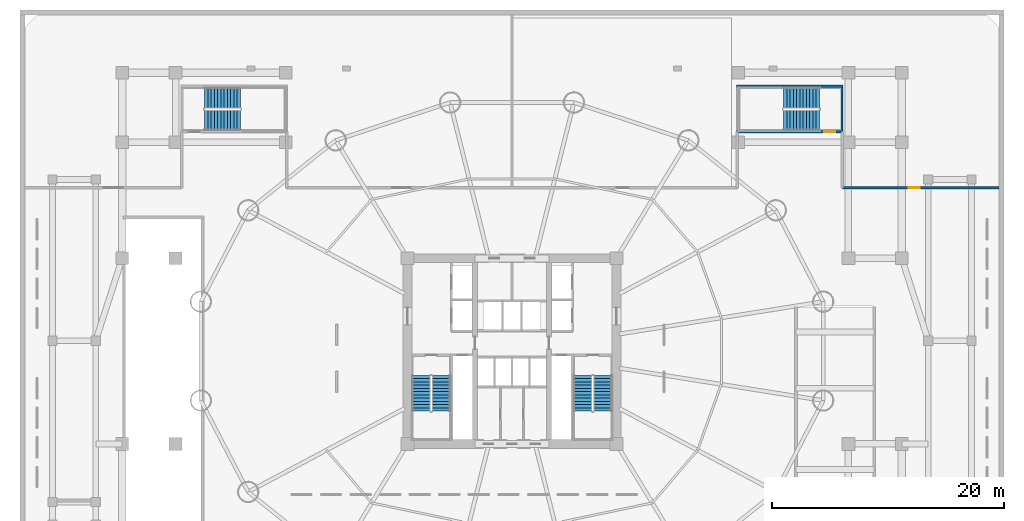
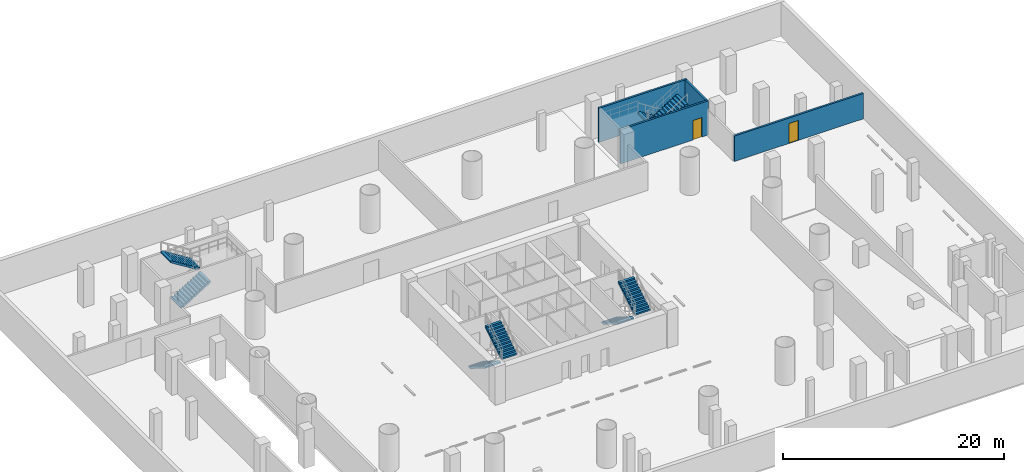
# One storey, part 7 of 11: 8 stair flights, 4 walls, 2 doors, 2 openings, 4 elements without a shape of their own.
"""IFC4 building model written with IfcOpenShell, lengths in metres."""

from ifc_helpers import new_model, si_unit, direction, frame, frame_2d, origin, place, context, subcontext, project, spatial, polyline, rectangle, outline, extrude, source, transform, mapped, material, layer, layer_set, type_object, element, fill, aggregate, save


model = new_model("IFC4")

# Units and contexts
model_context = context("Model", 3, precision=1e-05, world=origin(), true_north=direction((-0.2419218956, 0.970295726276)))
body_context = subcontext(model_context, "Body", "Model", "MODEL_VIEW")
ifc_project = project(units=[si_unit("LENGTHUNIT", "METRE"), si_unit("AREAUNIT", "SQUARE_METRE"), si_unit("VOLUMEUNIT", "CUBIC_METRE"), si_unit("PLANEANGLEUNIT", "RADIAN"), si_unit("MASSUNIT", "GRAM", prefix="KILO")], contexts=[model_context])

# Site, building, storey
site_placement = place(None, origin())
site = spatial("IfcSite", under=ifc_project, at=site_placement, CompositionType="ELEMENT")
building_placement = place(site_placement, origin())
building = spatial("IfcBuilding", under=site, at=building_placement, Name="Cobrevalo Terracotta Tower", CompositionType="ELEMENT")
storey_placement = place(building_placement, frame((0.0, 0.0, -4.199951171875)))
storey = spatial("IfcBuildingStorey", under=building, at=storey_placement, Name="B01", CompositionType="ELEMENT", Elevation=-4.199951171875)

# Wall, opening, door
ifc_material_1 = material(Name="Autoclaved aerated concrete block", Category="concrete")
ifc_layer_1 = layer(ifc_material_1, 0.199951171875)
ifc_layer_set_1 = layer_set([ifc_layer_1], Name="Autoclaved aerated concrete block")
wall_type_1 = type_object("IfcWallType", Name="Fire-rated stair, shaft & demising masonry wall 200 mm", PredefinedType="PARTITIONING", material=ifc_layer_set_1)
wall_1_placement = place(storey_placement, frame((66.47998046875, 40.8798828125, 0.0), z_axis=(0.0, 0.0, 1.0), x_axis=(1.0, 0.0, 0.0)))
wall_1 = element("IfcWall", 1, at=wall_1_placement, inside=storey, type_object=wall_type_1, Name="B01 interior partition IW-B01-BN-3", PredefinedType="PARTITIONING", context=body_context, shape_type="SweptSolid", body=[
    extrude(rectangle(XDim=13.489990234375, YDim=0.199951171875, at=frame_2d((6.7451171875, 0.0))), origin(), (0.0, 0.0, 1.0), 2.81494140625),
])
opening_1_placement = place(wall_1_placement, frame((5.700927734375, 0.0, 0.0)))
opening_1 = element("IfcOpeningElement", 2, at=opening_1_placement, cuts=wall_1, Name="Opening ID-05", PredefinedType="OPENING", context=body_context, shape_type="SweptSolid", body=[
    extrude(rectangle(XDim=0.97998046875, YDim=2.199951171875, at=frame_2d((0.489990234375, 1.10009765625))), frame((0.0, 0.10986328125, 0.0), z_axis=(0.0, -1.0, 0.0), x_axis=(1.0, 0.0, 0.0)), (0.0, 0.0, 1.0), 0.219970703125),
])
ifc_material_2 = material(Name="Solid hardwood timber", Category="wood")
door_type_1 = type_object("IfcDoorType", Name="Residence entrance fire-rated acoustic timber door 980x2200 EI 60", OperationType="NOTDEFINED", PredefinedType="DOOR", material=ifc_material_2)
shared_shape_1 = source(origin(), body_context, "Body", "SweptSolid", [
    extrude(rectangle(XDim=0.97998046875, YDim=2.199951171875, at=frame_2d((0.489990234375, 1.10009765625))), frame((0.0, 0.02490234375, 0.0), z_axis=(0.0, -1.0, 0.0), x_axis=(1.0, 0.0, 0.0)), (0.0, 0.0, 1.0), 0.050048828125),
])
door_1_placement = place(opening_1_placement, frame((0.97998046875, 0.0, 0.0), z_axis=(0.0, 0.0, 1.0), x_axis=(-1.0, 0.0, 0.0)))
door_1 = element("IfcDoor", 3, at=door_1_placement, inside=storey, type_object=door_type_1, Name="Refuse Compactor and Recycling Room door", OperationType="SINGLE_SWING_RIGHT", OverallHeight=2.199951171875, OverallWidth=0.97998046875, PredefinedType="DOOR", context=body_context, shape_type="MappedRepresentation", body=[
    mapped(shared_shape_1, transform((0.0, 0.0, 0.0), scale=1.0)),
])
fill(opening_1, door_1)

ifc_material_3 = material(Name="Concrete C50", Category="concrete")
ifc_layer_2 = layer(ifc_material_3, 0.199951171875)
ifc_layer_set_2 = layer_set([ifc_layer_2], Name="Concrete C50")
wall_type_2 = type_object("IfcWallType", Name="Structural core & podium stair-shaft RC wall 200 mm Concrete C50", PredefinedType="SOLIDWALL", material=ifc_layer_set_2)
wall_2_placement = place(storey_placement, frame((57.35009765625, 45.699951171875, 0.0), z_axis=(0.0, 0.0, 1.0), x_axis=(1.0, 0.0, 0.0)))
wall_2 = element("IfcWall", 4, at=wall_2_placement, inside=storey, type_object=wall_type_2, Name="B01 STP2 south structural shaft wall", PredefinedType="SOLIDWALL", context=body_context, shape_type="SweptSolid", body=[
    extrude(rectangle(XDim=9.199951171875, YDim=0.199951171875, at=frame_2d((4.60009765625, 0.0))), origin(), (0.0, 0.0, 1.0), 3.780029296875),
])
opening_2_placement = place(wall_2_placement, frame((7.574951171875, 0.0, 0.0)))
opening_2 = element("IfcOpeningElement", 5, at=opening_2_placement, cuts=wall_2, Name="Opening ID-04", PredefinedType="OPENING", context=body_context, shape_type="SweptSolid", body=[
    extrude(rectangle(XDim=0.949951171875, YDim=2.14990234375, at=frame_2d((0.47509765625, 1.074951171875))), frame((0.0, 0.10986328125, 0.0), z_axis=(0.0, -1.0, 0.0), x_axis=(1.0, 0.0, 0.0)), (0.0, 0.0, 1.0), 0.219970703125),
])
ifc_material_4 = material(Name="Galvanized fire-rated steel", Category="steel")
door_type_2 = type_object("IfcDoorType", Name="Stair & firefighting lobby fire door 950x2150 EI 90", OperationType="NOTDEFINED", PredefinedType="DOOR", material=ifc_material_4)
shared_shape_2 = source(origin(), body_context, "Body", "SweptSolid", [
    extrude(rectangle(XDim=0.949951171875, YDim=2.14990234375, at=frame_2d((0.47509765625, 1.074951171875))), frame((0.0, 0.02490234375, 0.0), z_axis=(0.0, -1.0, 0.0), x_axis=(1.0, 0.0, 0.0)), (0.0, 0.0, 1.0), 0.050048828125),
])
door_2_placement = place(opening_2_placement, frame((0.949951171875, 0.0, 0.0), z_axis=(0.0, 0.0, 1.0), x_axis=(-1.0, 0.0, 0.0)))
door_2 = element("IfcDoor", 6, at=door_2_placement, inside=storey, type_object=door_type_2, Name="B01 podium exit stair STP2 fire door", OperationType="SINGLE_SWING_RIGHT", OverallHeight=2.14990234375, OverallWidth=0.949951171875, PredefinedType="DOOR", context=body_context, shape_type="MappedRepresentation", body=[
    mapped(shared_shape_2, transform((0.0, 0.0, 0.0), scale=1.0)),
])
fill(opening_2, door_2)

# Walls
wall_3_placement = place(storey_placement, frame((57.35009765625, 49.6201171875, 0.0), z_axis=(0.0, 0.0, 1.0), x_axis=(1.0, 0.0, 0.0)))
element("IfcWall", 7, at=wall_3_placement, inside=storey, type_object=wall_type_2, Name="B01 STP2 north structural shaft wall", PredefinedType="SOLIDWALL", context=body_context, shape_type="SweptSolid", body=[
    extrude(rectangle(XDim=9.199951171875, YDim=0.199951171875, at=frame_2d((4.60009765625, 0.0))), origin(), (0.0, 0.0, 1.0), 3.780029296875),
])
wall_4_placement = place(storey_placement, frame((66.449951171875, 45.800048828125, 0.0), z_axis=(0.0, 0.0, 1.0), x_axis=(0.0, 1.0, 0.0)))
element("IfcWall", 8, at=wall_4_placement, inside=storey, type_object=wall_type_2, Name="B01 STP2 east structural shaft wall", PredefinedType="SOLIDWALL", context=body_context, shape_type="SweptSolid", body=[
    extrude(rectangle(XDim=3.719970703125, YDim=0.199951171875, at=frame_2d((1.85986328125, 0.0))), origin(), (0.0, 0.0, 1.0), 3.780029296875),
])

# Stair, stair flights
stair_type_1 = type_object("IfcStairType", Name="Core protected escape dogleg stair 1600", PredefinedType="HALF_TURN_STAIR", material=ifc_material_3)
stair_1_placement = place(storey_placement, origin())
stair_1 = element("IfcStair", 9, at=stair_1_placement, inside=storey, type_object=stair_type_1, Name="B01 Protected exit stair ST-1", PredefinedType="HALF_TURN_STAIR")
stair_flight_type_1 = type_object("IfcStairFlightType", Name="Core protected escape dogleg stair 1600 flight", PredefinedType="STRAIGHT", material=ifc_material_3)
stair_flight_1_placement = place(storey_placement, frame((30.175048828125, 24.699951171875, 0.0), z_axis=(0.0, 0.0, 1.0), x_axis=(0.0, -1.0, 0.0)))
stair_flight_1 = element("IfcStairFlight", 10, at=stair_flight_1_placement, type_object=stair_flight_type_1, Name="ST-1 flight 1", NumberOfRisers=12, NumberOfTreads=11, PredefinedType="STRAIGHT", RiserHeight=0.175, TreadLength=0.28, context=body_context, shape_type="SweptSolid", body=[
    extrude(outline(polyline([(0.0, 0.0), (0.0, 0.175048828125), (0.280029296875, 0.175048828125), (0.280029296875, 0.35009765625), (0.56005859375, 0.35009765625), (0.56005859375, 0.52490234375), (0.840087890625, 0.52490234375), (0.840087890625, 0.699951171875), (1.1201171875, 0.699951171875), (1.1201171875, 0.875), (1.39990234375, 0.875), (1.39990234375, 1.050048828125), (1.679931640625, 1.050048828125), (1.679931640625, 1.22509765625), (1.9599609375, 1.22509765625), (1.9599609375, 1.39990234375), (2.239990234375, 1.39990234375), (2.239990234375, 1.574951171875), (2.52001953125, 1.574951171875), (2.52001953125, 1.75), (2.800048828125, 1.75), (2.800048828125, 1.925048828125), (3.080078125, 1.925048828125), (3.080078125, 2.10009765625), (3.080078125, 1.736328125), (0.3017578125, 0.0), (0.0, 0.0)])), frame((0.0, 0.800048828125, 0.0), z_axis=(0.0, -1.0, 0.0), x_axis=(1.0, 0.0, 0.0)), (0.0, 0.0, 1.0), 1.60009765625),
])
stair_flight_2_placement = place(storey_placement, frame((31.89501953125, 21.6201171875, 2.099853515625), z_axis=(0.0, 0.0, 1.0), x_axis=(0.0, 1.0, 0.0)))
stair_flight_2 = element("IfcStairFlight", 11, at=stair_flight_2_placement, type_object=stair_flight_type_1, Name="ST-1 flight 2", NumberOfRisers=12, NumberOfTreads=11, PredefinedType="STRAIGHT", RiserHeight=0.175, TreadLength=0.28, context=body_context, shape_type="SweptSolid", body=[
    extrude(outline(polyline([(0.0, 0.0), (0.0, 0.175048828125), (0.280029296875, 0.175048828125), (0.280029296875, 0.35009765625), (0.56005859375, 0.35009765625), (0.56005859375, 0.52490234375), (0.840087890625, 0.52490234375), (0.840087890625, 0.699951171875), (1.1201171875, 0.699951171875), (1.1201171875, 0.875), (1.39990234375, 0.875), (1.39990234375, 1.050048828125), (1.679931640625, 1.050048828125), (1.679931640625, 1.22509765625), (1.9599609375, 1.22509765625), (1.9599609375, 1.39990234375), (2.239990234375, 1.39990234375), (2.239990234375, 1.574951171875), (2.52001953125, 1.574951171875), (2.52001953125, 1.75), (2.800048828125, 1.75), (2.800048828125, 1.925048828125), (3.080078125, 1.925048828125), (3.080078125, 2.10009765625), (3.080078125, 1.736328125), (0.3017578125, 0.0), (0.0, 0.0)])), frame((0.0, 0.800048828125, 0.0), z_axis=(0.0, -1.0, 0.0), x_axis=(1.0, 0.0, 0.0)), (0.0, 0.0, 1.0), 1.60009765625),
])
aggregate(stair_1, [stair_flight_1, stair_flight_2])

stair_2_placement = place(storey_placement, origin())
stair_2 = element("IfcStair", 12, at=stair_2_placement, inside=storey, type_object=stair_type_1, Name="B01 Protected exit stair ST-2", PredefinedType="HALF_TURN_STAIR")
stair_flight_3_placement = place(storey_placement, frame((44.10498046875, 24.699951171875, 0.0), z_axis=(0.0, 0.0, 1.0), x_axis=(0.0, -1.0, 0.0)))
stair_flight_3 = element("IfcStairFlight", 13, at=stair_flight_3_placement, type_object=stair_flight_type_1, Name="ST-2 flight 1", NumberOfRisers=12, NumberOfTreads=11, PredefinedType="STRAIGHT", RiserHeight=0.175, TreadLength=0.28, context=body_context, shape_type="SweptSolid", body=[
    extrude(outline(polyline([(0.0, 0.0), (0.0, 0.175048828125), (0.280029296875, 0.175048828125), (0.280029296875, 0.35009765625), (0.56005859375, 0.35009765625), (0.56005859375, 0.52490234375), (0.840087890625, 0.52490234375), (0.840087890625, 0.699951171875), (1.1201171875, 0.699951171875), (1.1201171875, 0.875), (1.39990234375, 0.875), (1.39990234375, 1.050048828125), (1.679931640625, 1.050048828125), (1.679931640625, 1.22509765625), (1.9599609375, 1.22509765625), (1.9599609375, 1.39990234375), (2.239990234375, 1.39990234375), (2.239990234375, 1.574951171875), (2.52001953125, 1.574951171875), (2.52001953125, 1.75), (2.800048828125, 1.75), (2.800048828125, 1.925048828125), (3.080078125, 1.925048828125), (3.080078125, 2.10009765625), (3.080078125, 1.736328125), (0.3017578125, 0.0), (0.0, 0.0)])), frame((0.0, 0.800048828125, 0.0), z_axis=(0.0, -1.0, 0.0), x_axis=(1.0, 0.0, 0.0)), (0.0, 0.0, 1.0), 1.60009765625),
])
stair_flight_4_placement = place(storey_placement, frame((45.824951171875, 21.6201171875, 2.099853515625), z_axis=(0.0, 0.0, 1.0), x_axis=(0.0, 1.0, 0.0)))
stair_flight_4 = element("IfcStairFlight", 14, at=stair_flight_4_placement, type_object=stair_flight_type_1, Name="ST-2 flight 2", NumberOfRisers=12, NumberOfTreads=11, PredefinedType="STRAIGHT", RiserHeight=0.175, TreadLength=0.28, context=body_context, shape_type="SweptSolid", body=[
    extrude(outline(polyline([(0.0, 0.0), (0.0, 0.175048828125), (0.280029296875, 0.175048828125), (0.280029296875, 0.35009765625), (0.56005859375, 0.35009765625), (0.56005859375, 0.52490234375), (0.840087890625, 0.52490234375), (0.840087890625, 0.699951171875), (1.1201171875, 0.699951171875), (1.1201171875, 0.875), (1.39990234375, 0.875), (1.39990234375, 1.050048828125), (1.679931640625, 1.050048828125), (1.679931640625, 1.22509765625), (1.9599609375, 1.22509765625), (1.9599609375, 1.39990234375), (2.239990234375, 1.39990234375), (2.239990234375, 1.574951171875), (2.52001953125, 1.574951171875), (2.52001953125, 1.75), (2.800048828125, 1.75), (2.800048828125, 1.925048828125), (3.080078125, 1.925048828125), (3.080078125, 2.10009765625), (3.080078125, 1.736328125), (0.3017578125, 0.0), (0.0, 0.0)])), frame((0.0, 0.800048828125, 0.0), z_axis=(0.0, -1.0, 0.0), x_axis=(1.0, 0.0, 0.0)), (0.0, 0.0, 1.0), 1.60009765625),
])
aggregate(stair_2, [stair_flight_3, stair_flight_4])

stair_type_2 = type_object("IfcStairType", Name="Podium concourse escape dogleg stair 1800", PredefinedType="HALF_TURN_STAIR", material=ifc_material_3)
stair_3_placement = place(storey_placement, origin())
stair_3 = element("IfcStair", 15, at=stair_3_placement, inside=storey, type_object=stair_type_2, Name="B01 Protected exit stair ST-P1", PredefinedType="HALF_TURN_STAIR")
stair_flight_type_2 = type_object("IfcStairFlightType", Name="Podium concourse escape dogleg stair 1800 flight", PredefinedType="STRAIGHT", material=ifc_material_3)
stair_flight_5_placement = place(storey_placement, frame((11.5, 46.699951171875, 0.0), z_axis=(0.0, 0.0, 1.0), x_axis=(1.0, 0.0, 0.0)))
stair_flight_5 = element("IfcStairFlight", 16, at=stair_flight_5_placement, type_object=stair_flight_type_2, Name="ST-P1 flight 1", NumberOfRisers=12, NumberOfTreads=11, PredefinedType="STRAIGHT", RiserHeight=0.175, TreadLength=0.28, context=body_context, shape_type="SweptSolid", body=[
    extrude(outline(polyline([(0.0, 0.0), (0.0, 0.175048828125), (0.280029296875, 0.175048828125), (0.280029296875, 0.35009765625), (0.56005859375, 0.35009765625), (0.56005859375, 0.52490234375), (0.840087890625, 0.52490234375), (0.840087890625, 0.699951171875), (1.1201171875, 0.699951171875), (1.1201171875, 0.875), (1.39990234375, 0.875), (1.39990234375, 1.050048828125), (1.679931640625, 1.050048828125), (1.679931640625, 1.22509765625), (1.9599609375, 1.22509765625), (1.9599609375, 1.39990234375), (2.239990234375, 1.39990234375), (2.239990234375, 1.574951171875), (2.52001953125, 1.574951171875), (2.52001953125, 1.75), (2.800048828125, 1.75), (2.800048828125, 1.925048828125), (3.080078125, 1.925048828125), (3.080078125, 2.10009765625), (3.080078125, 1.736328125), (0.3017578125, 0.0), (0.0, 0.0)])), frame((0.0, 0.89990234375, 0.0), z_axis=(0.0, -1.0, 0.0), x_axis=(1.0, 0.0, 0.0)), (0.0, 0.0, 1.0), 1.800048828125),
])
stair_flight_6_placement = place(storey_placement, frame((14.580078125, 48.6201171875, 2.099853515625), z_axis=(0.0, 0.0, 1.0), x_axis=(-1.0, 0.0, 0.0)))
stair_flight_6 = element("IfcStairFlight", 17, at=stair_flight_6_placement, type_object=stair_flight_type_2, Name="ST-P1 flight 2", NumberOfRisers=12, NumberOfTreads=11, PredefinedType="STRAIGHT", RiserHeight=0.175, TreadLength=0.28, context=body_context, shape_type="SweptSolid", body=[
    extrude(outline(polyline([(0.0, 0.0), (0.0, 0.175048828125), (0.280029296875, 0.175048828125), (0.280029296875, 0.35009765625), (0.56005859375, 0.35009765625), (0.56005859375, 0.52490234375), (0.840087890625, 0.52490234375), (0.840087890625, 0.699951171875), (1.1201171875, 0.699951171875), (1.1201171875, 0.875), (1.39990234375, 0.875), (1.39990234375, 1.050048828125), (1.679931640625, 1.050048828125), (1.679931640625, 1.22509765625), (1.9599609375, 1.22509765625), (1.9599609375, 1.39990234375), (2.239990234375, 1.39990234375), (2.239990234375, 1.574951171875), (2.52001953125, 1.574951171875), (2.52001953125, 1.75), (2.800048828125, 1.75), (2.800048828125, 1.925048828125), (3.080078125, 1.925048828125), (3.080078125, 2.10009765625), (3.080078125, 1.736328125), (0.3017578125, 0.0), (0.0, 0.0)])), frame((0.0, 0.89990234375, 0.0), z_axis=(0.0, -1.0, 0.0), x_axis=(1.0, 0.0, 0.0)), (0.0, 0.0, 1.0), 1.800048828125),
])
aggregate(stair_3, [stair_flight_5, stair_flight_6])

stair_4_placement = place(storey_placement, origin())
stair_4 = element("IfcStair", 18, at=stair_4_placement, inside=storey, type_object=stair_type_2, Name="B01 Protected exit stair ST-P2", PredefinedType="HALF_TURN_STAIR")
stair_flight_7_placement = place(storey_placement, frame((64.5, 48.6201171875, 0.0), z_axis=(0.0, 0.0, 1.0), x_axis=(-1.0, 0.0, 0.0)))
stair_flight_7 = element("IfcStairFlight", 19, at=stair_flight_7_placement, type_object=stair_flight_type_2, Name="ST-P2 flight 1", NumberOfRisers=12, NumberOfTreads=11, PredefinedType="STRAIGHT", RiserHeight=0.175, TreadLength=0.28, context=body_context, shape_type="SweptSolid", body=[
    extrude(outline(polyline([(0.0, 0.0), (0.0, 0.175048828125), (0.280029296875, 0.175048828125), (0.280029296875, 0.35009765625), (0.56005859375, 0.35009765625), (0.56005859375, 0.52490234375), (0.840087890625, 0.52490234375), (0.840087890625, 0.699951171875), (1.1201171875, 0.699951171875), (1.1201171875, 0.875), (1.39990234375, 0.875), (1.39990234375, 1.050048828125), (1.679931640625, 1.050048828125), (1.679931640625, 1.22509765625), (1.9599609375, 1.22509765625), (1.9599609375, 1.39990234375), (2.239990234375, 1.39990234375), (2.239990234375, 1.574951171875), (2.52001953125, 1.574951171875), (2.52001953125, 1.75), (2.800048828125, 1.75), (2.800048828125, 1.925048828125), (3.080078125, 1.925048828125), (3.080078125, 2.10009765625), (3.080078125, 1.736328125), (0.3017578125, 0.0), (0.0, 0.0)])), frame((0.0, 0.89990234375, 0.0), z_axis=(0.0, -1.0, 0.0), x_axis=(1.0, 0.0, 0.0)), (0.0, 0.0, 1.0), 1.800048828125),
])
stair_flight_8_placement = place(storey_placement, frame((61.419921875, 46.699951171875, 2.099853515625), z_axis=(0.0, 0.0, 1.0), x_axis=(1.0, 0.0, 0.0)))
stair_flight_8 = element("IfcStairFlight", 20, at=stair_flight_8_placement, type_object=stair_flight_type_2, Name="ST-P2 flight 2", NumberOfRisers=12, NumberOfTreads=11, PredefinedType="STRAIGHT", RiserHeight=0.175, TreadLength=0.28, context=body_context, shape_type="SweptSolid", body=[
    extrude(outline(polyline([(0.0, 0.0), (0.0, 0.175048828125), (0.280029296875, 0.175048828125), (0.280029296875, 0.35009765625), (0.56005859375, 0.35009765625), (0.56005859375, 0.52490234375), (0.840087890625, 0.52490234375), (0.840087890625, 0.699951171875), (1.1201171875, 0.699951171875), (1.1201171875, 0.875), (1.39990234375, 0.875), (1.39990234375, 1.050048828125), (1.679931640625, 1.050048828125), (1.679931640625, 1.22509765625), (1.9599609375, 1.22509765625), (1.9599609375, 1.39990234375), (2.239990234375, 1.39990234375), (2.239990234375, 1.574951171875), (2.52001953125, 1.574951171875), (2.52001953125, 1.75), (2.800048828125, 1.75), (2.800048828125, 1.925048828125), (3.080078125, 1.925048828125), (3.080078125, 2.10009765625), (3.080078125, 1.736328125), (0.3017578125, 0.0), (0.0, 0.0)])), frame((0.0, 0.89990234375, 0.0), z_axis=(0.0, -1.0, 0.0), x_axis=(1.0, 0.0, 0.0)), (0.0, 0.0, 1.0), 1.800048828125),
])
aggregate(stair_4, [stair_flight_7, stair_flight_8])

save(model, "model.ifc")
